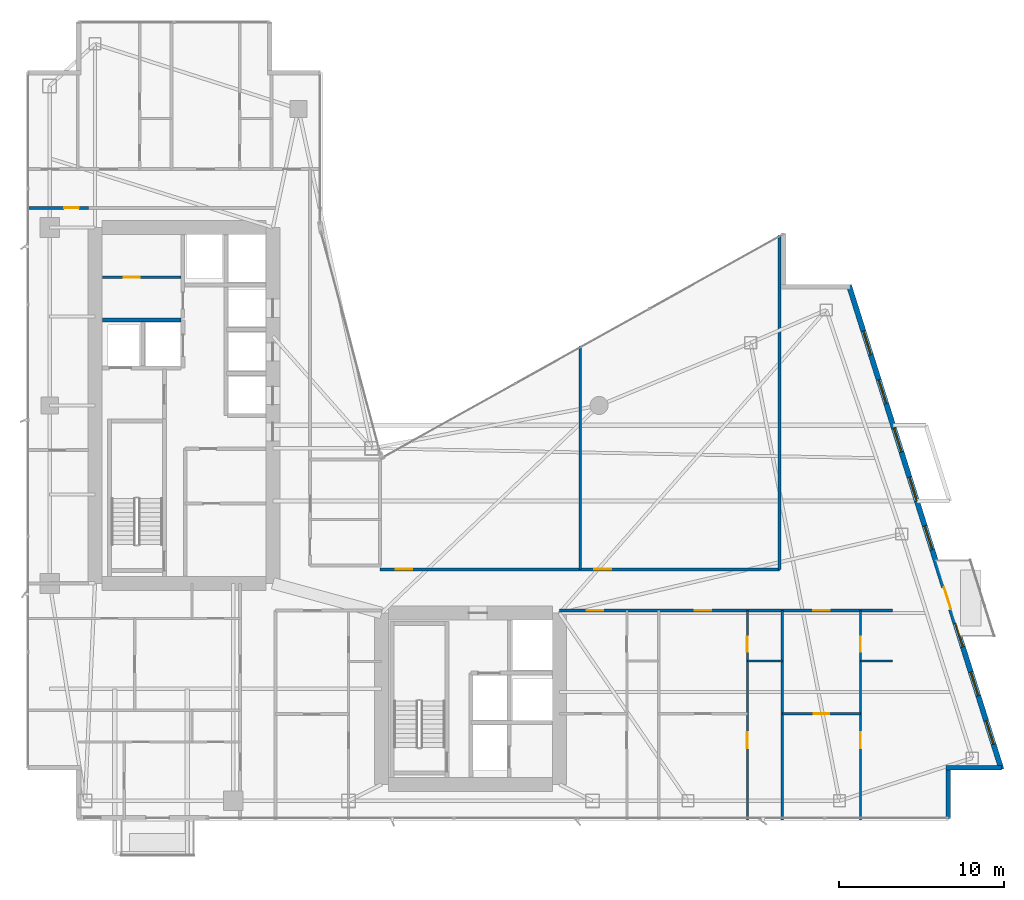
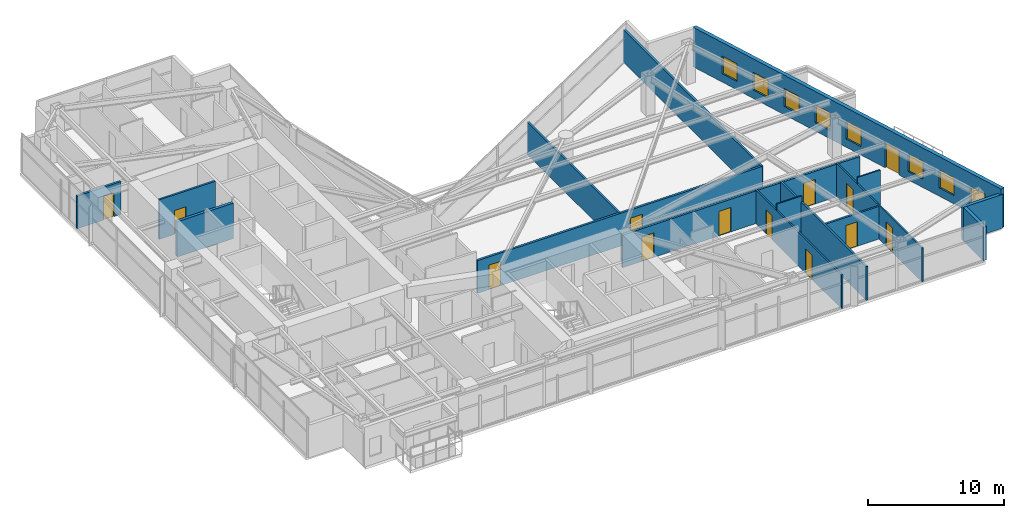
# One storey, part 24 of 28: 16 walls, 13 doors, 8 windows, 21 openings.
"""IFC4 building model written with IfcOpenShell, lengths in metres."""

from ifc_helpers import new_model, si_unit, direction, frame, frame_2d, origin, place, context, subcontext, project, spatial, rectangle, extrude, material, layer, layer_set, type_object, element, fill, save


model = new_model("IFC4")

# Units and contexts
model_context = context("Model", 3, precision=1e-05, world=origin(), true_north=direction((0.0, 1.0)))
body_context = subcontext(model_context, "Body", "Model", "MODEL_VIEW")
ifc_project = project(units=[si_unit("LENGTHUNIT", "METRE"), si_unit("AREAUNIT", "SQUARE_METRE"), si_unit("VOLUMEUNIT", "CUBIC_METRE"), si_unit("PLANEANGLEUNIT", "RADIAN"), si_unit("MASSUNIT", "GRAM", prefix="KILO")], contexts=[model_context])

# Site, building, storey
site_placement = place(None, origin())
site = spatial("IfcSite", under=ifc_project, at=site_placement, CompositionType="ELEMENT")
building_placement = place(site_placement, origin())
building = spatial("IfcBuilding", under=site, at=building_placement, Name="Calvorn Quay Hotel", CompositionType="ELEMENT")
storey_placement = place(building_placement, frame((0.0, 0.0, 156.10009765625)))
storey = spatial("IfcBuildingStorey", under=building, at=storey_placement, Name="L38", CompositionType="ELEMENT", Elevation=156.10009765625)

# Wall, opening, door
ifc_material_1 = material(Name="Acoustic Fireboard Steel-Stud Partition", Category="steel")
ifc_layer_1 = layer(ifc_material_1, 0.179931640625)
ifc_layer_set_1 = layer_set([ifc_layer_1], Name="WL-CORR-FIRE-180")
wall_type_1 = type_object("IfcWallType", Name="WL-CORR-FIRE-180", PredefinedType="PARTITIONING", material=ifc_layer_set_1)
wall_1_placement = place(storey_placement, frame((0.080078125, 39.60009765625, 0.0), z_axis=(0.0, 0.0, 1.0), x_axis=(1.0, 0.0, 0.0)))
wall_1 = element("IfcWall", 1, at=wall_1_placement, inside=storey, type_object=wall_type_1, Name="Partition Wall L38-WL-WBAY-N-DOOR", PredefinedType="PARTITIONING", context=body_context, shape_type="SweptSolid", body=[
    extrude(rectangle(XDim=3.724853515625, YDim=0.179931640625, at=frame_2d((1.8623046875, 0.0))), origin(), (0.0, 0.0, 1.0), 2.93994140625),
])
opening_1_placement = place(wall_1_placement, frame((2.25, 0.0, 0.0)))
opening_1 = element("IfcOpeningElement", 2, at=opening_1_placement, cuts=wall_1, Name="Opening D-L38-WBN", PredefinedType="OPENING", context=body_context, shape_type="SweptSolid", body=[
    extrude(rectangle(XDim=0.89990234375, YDim=2.14990234375, at=frame_2d((0.449951171875, 1.074951171875))), frame((0.0, 0.099853515625, 0.0), z_axis=(0.0, -1.0, 0.0), x_axis=(1.0, 0.0, 0.0)), (0.0, 0.0, 1.0), 0.199951171875),
])
ifc_material_2 = material(Name="Moisture-Sealed Timber En-Suite Door", Category="wood")
door_type_1 = type_object("IfcDoorType", Name="DR-ENSUITE-900", OperationType="NOTDEFINED", PredefinedType="DOOR", material=ifc_material_2)
door_1_placement = place(opening_1_placement, origin())
door_1 = element("IfcDoor", 3, at=door_1_placement, inside=storey, type_object=door_type_1, Name="West North Bay Door (L38)", OperationType="SINGLE_SWING_LEFT", OverallHeight=2.14990234375, OverallWidth=0.89990234375, PredefinedType="DOOR", context=body_context, shape_type="SweptSolid", body=[
    extrude(rectangle(XDim=0.89990234375, YDim=2.14990234375, at=frame_2d((0.449951171875, 1.074951171875))), frame((0.0, 0.02490234375, 0.0), z_axis=(0.0, -1.0, 0.0), x_axis=(1.0, 0.0, 0.0)), (0.0, 0.0, 1.0), 0.050048828125),
])
fill(opening_1, door_1)

# Wall, openings, doors
wall_2_placement = place(storey_placement, frame((32.39990234375, 15.14990234375, 0.0), z_axis=(0.0, 0.0, 1.0), x_axis=(1.0, 0.0, 0.0)))
wall_2 = element("IfcWall", 4, at=wall_2_placement, inside=storey, type_object=wall_type_1, Name="Partition Wall L38-WL-CORR-SE-S", PredefinedType="PARTITIONING", context=body_context, shape_type="SweptSolid", body=[
    extrude(rectangle(XDim=20.2001953125, YDim=0.179931640625, at=frame_2d((10.10009765625, 0.0))), origin(), (0.0, 0.0, 1.0), 2.93994140625),
])
opening_2_placement = place(wall_2_placement, frame((1.639892578125, 0.0, 0.0)))
opening_2 = element("IfcOpeningElement", 5, at=opening_2_placement, cuts=wall_2, Name="Opening D-L38-U06", PredefinedType="OPENING", context=body_context, shape_type="SweptSolid", body=[
    extrude(rectangle(XDim=1.02001953125, YDim=2.199951171875, at=frame_2d((0.510009765625, 1.10009765625))), frame((0.0, 0.099853515625, 0.0), z_axis=(0.0, -1.0, 0.0), x_axis=(1.0, 0.0, 0.0)), (0.0, 0.0, 1.0), 0.199951171875),
])
opening_3_placement = place(wall_2_placement, frame((8.199951171875, 0.0, 0.0)))
opening_3 = element("IfcOpeningElement", 6, at=opening_3_placement, cuts=wall_2, Name="Opening D-L38-U07", PredefinedType="OPENING", context=body_context, shape_type="SweptSolid", body=[
    extrude(rectangle(XDim=1.02001953125, YDim=2.199951171875, at=frame_2d((0.510009765625, 1.10009765625))), frame((0.0, 0.099853515625, 0.0), z_axis=(0.0, -1.0, 0.0), x_axis=(1.0, 0.0, 0.0)), (0.0, 0.0, 1.0), 0.199951171875),
])
opening_4_placement = place(wall_2_placement, frame((15.389892578125, 0.0, 0.0)))
opening_4 = element("IfcOpeningElement", 7, at=opening_4_placement, cuts=wall_2, Name="Opening D-L38-U08", PredefinedType="OPENING", context=body_context, shape_type="SweptSolid", body=[
    extrude(rectangle(XDim=1.02001953125, YDim=2.199951171875, at=frame_2d((0.510009765625, 1.10009765625))), frame((0.0, 0.099853515625, 0.0), z_axis=(0.0, -1.0, 0.0), x_axis=(1.0, 0.0, 0.0)), (0.0, 0.0, 1.0), 0.199951171875),
])
ifc_material_3 = material(Name="Solid-Core Walnut Veneer Hotel Fire Door")
door_type_2 = type_object("IfcDoorType", Name="DR-GUEST-ENTRY-1020", OperationType="NOTDEFINED", PredefinedType="DOOR", material=ifc_material_3)
door_2_placement = place(opening_2_placement, origin())
door_2 = element("IfcDoor", 8, at=door_2_placement, inside=storey, type_object=door_type_2, Name="South-East Unit Door U06 (L38)", OperationType="SINGLE_SWING_LEFT", OverallHeight=2.199951171875, OverallWidth=1.02001953125, PredefinedType="DOOR", context=body_context, shape_type="SweptSolid", body=[
    extrude(rectangle(XDim=1.02001953125, YDim=2.199951171875, at=frame_2d((0.510009765625, 1.10009765625))), frame((0.0, 0.02490234375, 0.0), z_axis=(0.0, -1.0, 0.0), x_axis=(1.0, 0.0, 0.0)), (0.0, 0.0, 1.0), 0.050048828125),
])
fill(opening_2, door_2)
door_3_placement = place(opening_3_placement, origin())
door_3 = element("IfcDoor", 9, at=door_3_placement, inside=storey, type_object=door_type_2, Name="South-East Unit Door U07 (L38)", OperationType="SINGLE_SWING_RIGHT", OverallHeight=2.199951171875, OverallWidth=1.02001953125, PredefinedType="DOOR", context=body_context, shape_type="SweptSolid", body=[
    extrude(rectangle(XDim=1.02001953125, YDim=2.199951171875, at=frame_2d((0.510009765625, 1.10009765625))), frame((0.0, 0.02490234375, 0.0), z_axis=(0.0, -1.0, 0.0), x_axis=(1.0, 0.0, 0.0)), (0.0, 0.0, 1.0), 0.050048828125),
])
fill(opening_3, door_3)
door_4_placement = place(opening_4_placement, origin())
door_4 = element("IfcDoor", 10, at=door_4_placement, inside=storey, type_object=door_type_2, Name="South-East Unit Door U08 (L38)", OperationType="SINGLE_SWING_LEFT", OverallHeight=2.199951171875, OverallWidth=1.02001953125, PredefinedType="DOOR", context=body_context, shape_type="SweptSolid", body=[
    extrude(rectangle(XDim=1.02001953125, YDim=2.199951171875, at=frame_2d((0.510009765625, 1.10009765625))), frame((0.0, 0.02490234375, 0.0), z_axis=(0.0, -1.0, 0.0), x_axis=(1.0, 0.0, 0.0)), (0.0, 0.0, 1.0), 0.050048828125),
])
fill(opening_4, door_4)

wall_3_placement = place(storey_placement, frame((21.5, 17.64990234375, 0.0), z_axis=(0.0, 0.0, 1.0), x_axis=(1.0, 0.0, 0.0)))
wall_3 = element("IfcWall", 11, at=wall_3_placement, inside=storey, type_object=wall_type_1, Name="Partition Wall L38-WL-CORR-NE-N", PredefinedType="PARTITIONING", context=body_context, shape_type="SweptSolid", body=[
    extrude(rectangle(XDim=24.25, YDim=0.179931640625, at=frame_2d((12.125, 0.0))), origin(), (0.0, 0.0, 1.0), 2.93994140625),
])
opening_5_placement = place(wall_3_placement, frame((0.949951171875, 0.0, 0.0)))
opening_5 = element("IfcOpeningElement", 12, at=opening_5_placement, cuts=wall_3, Name="Opening D-L38-NS1", PredefinedType="OPENING", context=body_context, shape_type="SweptSolid", body=[
    extrude(rectangle(XDim=1.02001953125, YDim=2.199951171875, at=frame_2d((0.510009765625, 1.10009765625))), frame((0.0, 0.099853515625, 0.0), z_axis=(0.0, -1.0, 0.0), x_axis=(1.0, 0.0, 0.0)), (0.0, 0.0, 1.0), 0.199951171875),
])
opening_6_placement = place(wall_3_placement, frame((13.02001953125, 0.0, 0.0)))
opening_6 = element("IfcOpeningElement", 13, at=opening_6_placement, cuts=wall_3, Name="Opening D-L38-NS2", PredefinedType="OPENING", context=body_context, shape_type="SweptSolid", body=[
    extrude(rectangle(XDim=1.02001953125, YDim=2.199951171875, at=frame_2d((0.510009765625, 1.10009765625))), frame((0.0, 0.099853515625, 0.0), z_axis=(0.0, -1.0, 0.0), x_axis=(1.0, 0.0, 0.0)), (0.0, 0.0, 1.0), 0.199951171875),
])
door_5_placement = place(opening_5_placement, origin())
door_5 = element("IfcDoor", 14, at=door_5_placement, inside=storey, type_object=door_type_2, Name="Conservatory Salon Door 1 (L38)", OperationType="SINGLE_SWING_RIGHT", OverallHeight=2.199951171875, OverallWidth=1.02001953125, PredefinedType="DOOR", context=body_context, shape_type="SweptSolid", body=[
    extrude(rectangle(XDim=1.02001953125, YDim=2.199951171875, at=frame_2d((0.510009765625, 1.10009765625))), frame((0.0, 0.02490234375, 0.0), z_axis=(0.0, -1.0, 0.0), x_axis=(1.0, 0.0, 0.0)), (0.0, 0.0, 1.0), 0.050048828125),
])
fill(opening_5, door_5)
door_6_placement = place(opening_6_placement, origin())
door_6 = element("IfcDoor", 15, at=door_6_placement, inside=storey, type_object=door_type_2, Name="Conservatory Salon Door 2 (L38)", OperationType="SINGLE_SWING_LEFT", OverallHeight=2.199951171875, OverallWidth=1.02001953125, PredefinedType="DOOR", context=body_context, shape_type="SweptSolid", body=[
    extrude(rectangle(XDim=1.02001953125, YDim=2.199951171875, at=frame_2d((0.510009765625, 1.10009765625))), frame((0.0, 0.02490234375, 0.0), z_axis=(0.0, -1.0, 0.0), x_axis=(1.0, 0.0, 0.0)), (0.0, 0.0, 1.0), 0.050048828125),
])
fill(opening_6, door_6)

# Walls
wall_4_placement = place(storey_placement, frame((45.75, 17.64990234375, 0.0), z_axis=(0.0, 0.0, 1.0), x_axis=(0.0, 1.0, 0.0)))
element("IfcWall", 16, at=wall_4_placement, inside=storey, type_object=wall_type_1, Name="Partition Wall L38-WL-NE-END-E", PredefinedType="PARTITIONING", context=body_context, shape_type="SweptSolid", body=[
    extrude(rectangle(XDim=20.2900390625, YDim=0.179931640625, at=frame_2d((10.14501953125, 0.0))), origin(), (0.0, 0.0, 1.0), 2.93994140625),
])
ifc_material_4 = material(Name="Moisture-Resistant Tile-Backed Partition")
ifc_layer_2 = layer(ifc_material_4, 0.125)
ifc_layer_set_2 = layer_set([ifc_layer_2], Name="WL-ENSUITE-125")
wall_type_2 = type_object("IfcWallType", Name="WL-ENSUITE-125", PredefinedType="PARTITIONING", material=ifc_layer_set_2)
wall_5_placement = place(storey_placement, frame((43.800048828125, 12.10009765625, 0.0), z_axis=(0.0, 0.0, 1.0), x_axis=(1.0, 0.0, 0.0)))
element("IfcWall", 17, at=wall_5_placement, inside=storey, type_object=wall_type_2, Name="Partition Wall L38-WL-U07-BDV", PredefinedType="PARTITIONING", context=body_context, shape_type="SweptSolid", body=[
    extrude(rectangle(XDim=2.1298828125, YDim=0.125, at=frame_2d((1.06494140625, 0.0))), origin(), (0.0, 0.0, 1.0), 3.559814453125),
])

# Wall, openings, doors
wall_6_placement = place(storey_placement, frame((43.800048828125, 2.43994140625, 0.0), z_axis=(0.0, 0.0, 1.0), x_axis=(0.0, 1.0, 0.0)))
wall_6 = element("IfcWall", 18, at=wall_6_placement, inside=storey, type_object=wall_type_2, Name="Partition Wall L38-WL-U07-BV", PredefinedType="PARTITIONING", context=body_context, shape_type="SweptSolid", body=[
    extrude(rectangle(XDim=12.7099609375, YDim=0.125, at=frame_2d((6.35498046875, 0.0))), origin(), (0.0, 0.0, 1.0), 3.039794921875),
])
opening_7_placement = place(wall_6_placement, frame((4.35009765625, 0.0, 0.0)))
opening_7 = element("IfcOpeningElement", 19, at=opening_7_placement, cuts=wall_6, Name="Opening D-L38-S07", PredefinedType="OPENING", context=body_context, shape_type="SweptSolid", body=[
    extrude(rectangle(XDim=0.9599609375, YDim=2.199951171875, at=frame_2d((0.47998046875, 1.10009765625))), frame((0.0, 0.072509765625, 0.0), z_axis=(0.0, -1.0, 0.0), x_axis=(1.0, 0.0, 0.0)), (0.0, 0.0, 1.0), 0.14501953125),
])
opening_8_placement = place(wall_6_placement, frame((10.2099609375, 0.0, 0.0)))
opening_8 = element("IfcOpeningElement", 20, at=opening_8_placement, cuts=wall_6, Name="Opening D-L38-E07", PredefinedType="OPENING", context=body_context, shape_type="SweptSolid", body=[
    extrude(rectangle(XDim=0.89990234375, YDim=2.14990234375, at=frame_2d((0.449951171875, 1.074951171875))), frame((0.0, 0.072509765625, 0.0), z_axis=(0.0, -1.0, 0.0), x_axis=(1.0, 0.0, 0.0)), (0.0, 0.0, 1.0), 0.14501953125),
])
door_7_placement = place(opening_8_placement, origin())
door_7 = element("IfcDoor", 21, at=door_7_placement, inside=storey, type_object=door_type_1, Name="En-Suite Door 07", OperationType="SINGLE_SWING_RIGHT", OverallHeight=2.14990234375, OverallWidth=0.89990234375, PredefinedType="DOOR", context=body_context, shape_type="SweptSolid", body=[
    extrude(rectangle(XDim=0.89990234375, YDim=2.14990234375, at=frame_2d((0.449951171875, 1.074951171875))), frame((0.0, 0.02490234375, 0.0), z_axis=(0.0, -1.0, 0.0), x_axis=(1.0, 0.0, 0.0)), (0.0, 0.0, 1.0), 0.050048828125),
])
fill(opening_8, door_7)
ifc_material_5 = material(Name="Solid Timber Internal Suite Door", Category="wood")
door_type_3 = type_object("IfcDoorType", Name="DR-SUITE-INT-960", OperationType="NOTDEFINED", PredefinedType="DOOR", material=ifc_material_5)
door_8_placement = place(opening_7_placement, origin())
door_8 = element("IfcDoor", 22, at=door_8_placement, inside=storey, type_object=door_type_3, Name="Spa Therapy Room Door 07", OperationType="SINGLE_SWING_LEFT", OverallHeight=2.199951171875, OverallWidth=0.9599609375, PredefinedType="DOOR", context=body_context, shape_type="SweptSolid", body=[
    extrude(rectangle(XDim=0.9599609375, YDim=2.199951171875, at=frame_2d((0.47998046875, 1.10009765625))), frame((0.0, 0.02490234375, 0.0), z_axis=(0.0, -1.0, 0.0), x_axis=(1.0, 0.0, 0.0)), (0.0, 0.0, 1.0), 0.050048828125),
])
fill(opening_7, door_8)

# Wall
wall_7_placement = place(storey_placement, frame((50.669921875, 12.10009765625, 0.0), z_axis=(0.0, 0.0, 1.0), x_axis=(1.0, 0.0, 0.0)))
element("IfcWall", 23, at=wall_7_placement, inside=storey, type_object=wall_type_2, Name="Partition Wall L38-WL-U08-BDV", PredefinedType="PARTITIONING", context=body_context, shape_type="SweptSolid", body=[
    extrude(rectangle(XDim=1.93017578125, YDim=0.125, at=frame_2d((0.965087890625, 0.0))), origin(), (0.0, 0.0, 1.0), 3.559814453125),
])

# Wall, openings, doors
wall_8_placement = place(storey_placement, frame((50.669921875, 2.43994140625, 0.0), z_axis=(0.0, 0.0, 1.0), x_axis=(0.0, 1.0, 0.0)))
wall_8 = element("IfcWall", 24, at=wall_8_placement, inside=storey, type_object=wall_type_2, Name="Partition Wall L38-WL-U08-BV", PredefinedType="PARTITIONING", context=body_context, shape_type="SweptSolid", body=[
    extrude(rectangle(XDim=12.7099609375, YDim=0.125, at=frame_2d((6.35498046875, 0.0))), origin(), (0.0, 0.0, 1.0), 3.039794921875),
])
opening_9_placement = place(wall_8_placement, frame((4.35009765625, 0.0, 0.0)))
opening_9 = element("IfcOpeningElement", 25, at=opening_9_placement, cuts=wall_8, Name="Opening D-L38-S08", PredefinedType="OPENING", context=body_context, shape_type="SweptSolid", body=[
    extrude(rectangle(XDim=0.9599609375, YDim=2.199951171875, at=frame_2d((0.47998046875, 1.10009765625))), frame((0.0, 0.072509765625, 0.0), z_axis=(0.0, -1.0, 0.0), x_axis=(1.0, 0.0, 0.0)), (0.0, 0.0, 1.0), 0.14501953125),
])
opening_10_placement = place(wall_8_placement, frame((10.2099609375, 0.0, 0.0)))
opening_10 = element("IfcOpeningElement", 26, at=opening_10_placement, cuts=wall_8, Name="Opening D-L38-E08", PredefinedType="OPENING", context=body_context, shape_type="SweptSolid", body=[
    extrude(rectangle(XDim=0.89990234375, YDim=2.14990234375, at=frame_2d((0.449951171875, 1.074951171875))), frame((0.0, 0.072509765625, 0.0), z_axis=(0.0, -1.0, 0.0), x_axis=(1.0, 0.0, 0.0)), (0.0, 0.0, 1.0), 0.14501953125),
])
door_9_placement = place(opening_10_placement, origin())
door_9 = element("IfcDoor", 27, at=door_9_placement, inside=storey, type_object=door_type_1, Name="En-Suite Door 08", OperationType="SINGLE_SWING_RIGHT", OverallHeight=2.14990234375, OverallWidth=0.89990234375, PredefinedType="DOOR", context=body_context, shape_type="SweptSolid", body=[
    extrude(rectangle(XDim=0.89990234375, YDim=2.14990234375, at=frame_2d((0.449951171875, 1.074951171875))), frame((0.0, 0.02490234375, 0.0), z_axis=(0.0, -1.0, 0.0), x_axis=(1.0, 0.0, 0.0)), (0.0, 0.0, 1.0), 0.050048828125),
])
fill(opening_10, door_9)
door_10_placement = place(opening_9_placement, origin())
door_10 = element("IfcDoor", 28, at=door_10_placement, inside=storey, type_object=door_type_3, Name="Spa Therapy Room Door 08", OperationType="SINGLE_SWING_LEFT", OverallHeight=2.199951171875, OverallWidth=0.9599609375, PredefinedType="DOOR", context=body_context, shape_type="SweptSolid", body=[
    extrude(rectangle(XDim=0.9599609375, YDim=2.199951171875, at=frame_2d((0.47998046875, 1.10009765625))), frame((0.0, 0.02490234375, 0.0), z_axis=(0.0, -1.0, 0.0), x_axis=(1.0, 0.0, 0.0)), (0.0, 0.0, 1.0), 0.050048828125),
])
fill(opening_9, door_10)

# Walls
ifc_material_6 = material(Name="Concrete C40", Category="concrete")
ifc_layer_3 = layer(ifc_material_6, 0.320068359375)
ifc_layer_set_3 = layer_set([ifc_layer_3], Name="WL-EXT-SPANDREL-320")
wall_type_3 = type_object("IfcWallType", Name="WL-EXT-SPANDREL-320", PredefinedType="SOLIDWALL", material=ifc_layer_set_3)
wall_9_placement = place(storey_placement, frame((56.0, 2.52001953125, 0.0), z_axis=(0.0, 0.0, 1.0), x_axis=(0.0, 1.0, 0.0)))
element("IfcWall", 29, at=wall_9_placement, inside=storey, type_object=wall_type_3, Name="Notched Corner Spandrel L38-SE1", PredefinedType="SOLIDWALL", context=body_context, shape_type="SweptSolid", body=[
    extrude(rectangle(XDim=2.93994140625, YDim=0.280029296875, at=frame_2d((1.469970703125, 0.0))), origin(), (0.0, 0.0, 1.0), 3.039794921875),
])
wall_10_placement = place(storey_placement, frame((55.860107421875, 5.60009765625, 0.0), z_axis=(0.0, 0.0, 1.0), x_axis=(1.0, 0.0, 0.0)))
element("IfcWall", 30, at=wall_10_placement, inside=storey, type_object=wall_type_3, Name="Notched Corner Spandrel L38-SE2", PredefinedType="SOLIDWALL", context=body_context, shape_type="SweptSolid", body=[
    extrude(rectangle(XDim=3.3798828125, YDim=0.280029296875, at=frame_2d((1.68994140625, 0.0))), origin(), (0.0, 0.0, 1.0), 3.039794921875),
])

# Wall, openings, door, windows
wall_11_placement = place(storey_placement, frame((59.22998046875, 5.5048828125, 0.0), z_axis=(0.0, 0.0, 1.0), x_axis=(-0.300509063924, 0.953778958931, 0.0)))
wall_11 = element("IfcWall", 31, at=wall_11_placement, inside=storey, type_object=wall_type_3, Name="East Stepped Waterfront Exterior Wall (L38)", PredefinedType="SOLIDWALL", context=body_context, shape_type="SweptSolid", body=[
    extrude(rectangle(XDim=30.814453125, YDim=0.320068359375, at=frame_2d((15.4072265625, 0.0))), origin(), (0.0, 0.0, 1.0), 3.559814453125),
])
opening_11_placement = place(wall_11_placement, frame((10.198974609375, 0.0, 0.0)))
opening_11 = element("IfcOpeningElement", 32, at=opening_11_placement, cuts=wall_11, Name="Opening DB-L38-1", PredefinedType="OPENING", context=body_context, shape_type="SweptSolid", body=[
    extrude(rectangle(XDim=1.39990234375, YDim=2.25, at=frame_2d((0.699951171875, 1.125))), frame((0.0, 0.169921875, 0.0), z_axis=(0.0, -1.0, 0.0), x_axis=(1.0, 0.0, 0.0)), (0.0, 0.0, 1.0), 0.340087890625),
])
opening_12_placement = place(wall_11_placement, frame((1.60009765625, 0.0, 0.75)))
opening_12 = element("IfcOpeningElement", 33, at=opening_12_placement, cuts=wall_11, Name="Opening WG-L38-E1", PredefinedType="OPENING", context=body_context, shape_type="SweptSolid", body=[
    extrude(rectangle(XDim=1.5, YDim=1.60009765625, at=frame_2d((0.75, 0.800048828125))), frame((0.0, 0.169921875, 0.0), z_axis=(0.0, -1.0, 0.0), x_axis=(1.0, 0.0, 0.0)), (0.0, 0.0, 1.0), 0.340087890625),
])
opening_13_placement = place(wall_11_placement, frame((4.699951171875, 0.0, 0.75)))
opening_13 = element("IfcOpeningElement", 34, at=opening_13_placement, cuts=wall_11, Name="Opening WG-L38-E2", PredefinedType="OPENING", context=body_context, shape_type="SweptSolid", body=[
    extrude(rectangle(XDim=1.5, YDim=1.60009765625, at=frame_2d((0.75, 0.800048828125))), frame((0.0, 0.169921875, 0.0), z_axis=(0.0, -1.0, 0.0), x_axis=(1.0, 0.0, 0.0)), (0.0, 0.0, 1.0), 0.340087890625),
])
opening_14_placement = place(wall_11_placement, frame((7.800048828125, 0.0, 0.75)))
opening_14 = element("IfcOpeningElement", 35, at=opening_14_placement, cuts=wall_11, Name="Opening WG-L38-E3", PredefinedType="OPENING", context=body_context, shape_type="SweptSolid", body=[
    extrude(rectangle(XDim=1.5, YDim=1.60009765625, at=frame_2d((0.75, 0.800048828125))), frame((0.0, 0.169921875, 0.0), z_axis=(0.0, -1.0, 0.0), x_axis=(1.0, 0.0, 0.0)), (0.0, 0.0, 1.0), 0.340087890625),
])
opening_15_placement = place(wall_11_placement, frame((14.0, 0.0, 0.75)))
opening_15 = element("IfcOpeningElement", 36, at=opening_15_placement, cuts=wall_11, Name="Opening WG-L38-E4", PredefinedType="OPENING", context=body_context, shape_type="SweptSolid", body=[
    extrude(rectangle(XDim=1.5, YDim=1.60009765625, at=frame_2d((0.75, 0.800048828125))), frame((0.0, 0.169921875, 0.0), z_axis=(0.0, -1.0, 0.0), x_axis=(1.0, 0.0, 0.0)), (0.0, 0.0, 1.0), 0.340087890625),
])
opening_16_placement = place(wall_11_placement, frame((17.10009765625, 0.0, 0.75)))
opening_16 = element("IfcOpeningElement", 37, at=opening_16_placement, cuts=wall_11, Name="Opening WG-L38-E5", PredefinedType="OPENING", context=body_context, shape_type="SweptSolid", body=[
    extrude(rectangle(XDim=1.5, YDim=1.60009765625, at=frame_2d((0.75, 0.800048828125))), frame((0.0, 0.169921875, 0.0), z_axis=(0.0, -1.0, 0.0), x_axis=(1.0, 0.0, 0.0)), (0.0, 0.0, 1.0), 0.340087890625),
])
opening_17_placement = place(wall_11_placement, frame((20.199951171875, 0.0, 0.75)))
opening_17 = element("IfcOpeningElement", 38, at=opening_17_placement, cuts=wall_11, Name="Opening WG-L38-E6", PredefinedType="OPENING", context=body_context, shape_type="SweptSolid", body=[
    extrude(rectangle(XDim=1.5, YDim=1.60009765625, at=frame_2d((0.75, 0.800048828125))), frame((0.0, 0.169921875, 0.0), z_axis=(0.0, -1.0, 0.0), x_axis=(1.0, 0.0, 0.0)), (0.0, 0.0, 1.0), 0.340087890625),
])
opening_18_placement = place(wall_11_placement, frame((23.300048828125, 0.0, 0.75)))
opening_18 = element("IfcOpeningElement", 39, at=opening_18_placement, cuts=wall_11, Name="Opening WG-L38-E7", PredefinedType="OPENING", context=body_context, shape_type="SweptSolid", body=[
    extrude(rectangle(XDim=1.5, YDim=1.60009765625, at=frame_2d((0.75, 0.800048828125))), frame((0.0, 0.169921875, 0.0), z_axis=(0.0, -1.0, 0.0), x_axis=(1.0, 0.0, 0.0)), (0.0, 0.0, 1.0), 0.340087890625),
])
opening_19_placement = place(wall_11_placement, frame((26.39990234375, 0.0, 0.75)))
opening_19 = element("IfcOpeningElement", 40, at=opening_19_placement, cuts=wall_11, Name="Opening WG-L38-E8", PredefinedType="OPENING", context=body_context, shape_type="SweptSolid", body=[
    extrude(rectangle(XDim=1.5, YDim=1.60009765625, at=frame_2d((0.75, 0.800048828125))), frame((0.0, 0.169921875, 0.0), z_axis=(0.0, -1.0, 0.0), x_axis=(1.0, 0.0, 0.0)), (0.0, 0.0, 1.0), 0.340087890625),
])
ifc_material_7 = material(Name="Typhoon-Rated Low-E Aluminium Terrace Door", Category="aluminium")
door_type_4 = type_object("IfcDoorType", Name="DR-BALCONY-GLZ-1400", OperationType="NOTDEFINED", PredefinedType="DOOR", material=ifc_material_7)
door_11_placement = place(opening_11_placement, origin())
door_11 = element("IfcDoor", 41, at=door_11_placement, inside=storey, type_object=door_type_4, Name="Tree Balcony Terrace Door L38-BALC-E", OperationType="SINGLE_SWING_LEFT", OverallHeight=2.25, OverallWidth=1.39990234375, PredefinedType="DOOR", context=body_context, shape_type="SweptSolid", body=[
    extrude(rectangle(XDim=1.39990234375, YDim=2.25, at=frame_2d((0.699951171875, 1.125))), frame((0.0, 0.02490234375, 0.0), z_axis=(0.0, -1.0, 0.0), x_axis=(1.0, 0.0, 0.0)), (0.0, 0.0, 1.0), 0.050048828125),
])
fill(opening_11, door_11)
ifc_material_8 = material(Name="Self-Closing Class B Fire Window")
window_type = type_object("IfcWindowType", Name="WIN-REFUGE-1500x1600", PartitioningType="SINGLE_PANEL", PredefinedType="WINDOW", material=ifc_material_8)
window_1_placement = place(opening_12_placement, origin())
window_1 = element("IfcWindow", 42, at=window_1_placement, inside=storey, type_object=window_type, Name="East Facade Window L38-E1", OverallHeight=1.60009765625, OverallWidth=1.5, PartitioningType="SINGLE_PANEL", PredefinedType="WINDOW", context=body_context, shape_type="SweptSolid", body=[
    extrude(rectangle(XDim=1.5, YDim=1.60009765625, at=frame_2d((0.75, 0.800048828125))), frame((0.0, 0.030029296875, 0.0), z_axis=(0.0, -1.0, 0.0), x_axis=(1.0, 0.0, 0.0)), (0.0, 0.0, 1.0), 0.06005859375),
])
fill(opening_12, window_1)
window_2_placement = place(opening_13_placement, origin())
window_2 = element("IfcWindow", 43, at=window_2_placement, inside=storey, type_object=window_type, Name="East Facade Window L38-E2", OverallHeight=1.60009765625, OverallWidth=1.5, PartitioningType="SINGLE_PANEL", PredefinedType="WINDOW", context=body_context, shape_type="SweptSolid", body=[
    extrude(rectangle(XDim=1.5, YDim=1.60009765625, at=frame_2d((0.75, 0.800048828125))), frame((0.0, 0.030029296875, 0.0), z_axis=(0.0, -1.0, 0.0), x_axis=(1.0, 0.0, 0.0)), (0.0, 0.0, 1.0), 0.06005859375),
])
fill(opening_13, window_2)
window_3_placement = place(opening_14_placement, origin())
window_3 = element("IfcWindow", 44, at=window_3_placement, inside=storey, type_object=window_type, Name="East Facade Window L38-E3", OverallHeight=1.60009765625, OverallWidth=1.5, PartitioningType="SINGLE_PANEL", PredefinedType="WINDOW", context=body_context, shape_type="SweptSolid", body=[
    extrude(rectangle(XDim=1.5, YDim=1.60009765625, at=frame_2d((0.75, 0.800048828125))), frame((0.0, 0.030029296875, 0.0), z_axis=(0.0, -1.0, 0.0), x_axis=(1.0, 0.0, 0.0)), (0.0, 0.0, 1.0), 0.06005859375),
])
fill(opening_14, window_3)
window_4_placement = place(opening_15_placement, origin())
window_4 = element("IfcWindow", 45, at=window_4_placement, inside=storey, type_object=window_type, Name="East Facade Window L38-E4", OverallHeight=1.60009765625, OverallWidth=1.5, PartitioningType="SINGLE_PANEL", PredefinedType="WINDOW", context=body_context, shape_type="SweptSolid", body=[
    extrude(rectangle(XDim=1.5, YDim=1.60009765625, at=frame_2d((0.75, 0.800048828125))), frame((0.0, 0.030029296875, 0.0), z_axis=(0.0, -1.0, 0.0), x_axis=(1.0, 0.0, 0.0)), (0.0, 0.0, 1.0), 0.06005859375),
])
fill(opening_15, window_4)
window_5_placement = place(opening_16_placement, origin())
window_5 = element("IfcWindow", 46, at=window_5_placement, inside=storey, type_object=window_type, Name="East Facade Window L38-E5", OverallHeight=1.60009765625, OverallWidth=1.5, PartitioningType="SINGLE_PANEL", PredefinedType="WINDOW", context=body_context, shape_type="SweptSolid", body=[
    extrude(rectangle(XDim=1.5, YDim=1.60009765625, at=frame_2d((0.75, 0.800048828125))), frame((0.0, 0.030029296875, 0.0), z_axis=(0.0, -1.0, 0.0), x_axis=(1.0, 0.0, 0.0)), (0.0, 0.0, 1.0), 0.06005859375),
])
fill(opening_16, window_5)
window_6_placement = place(opening_17_placement, origin())
window_6 = element("IfcWindow", 47, at=window_6_placement, inside=storey, type_object=window_type, Name="East Facade Window L38-E6", OverallHeight=1.60009765625, OverallWidth=1.5, PartitioningType="SINGLE_PANEL", PredefinedType="WINDOW", context=body_context, shape_type="SweptSolid", body=[
    extrude(rectangle(XDim=1.5, YDim=1.60009765625, at=frame_2d((0.75, 0.800048828125))), frame((0.0, 0.030029296875, 0.0), z_axis=(0.0, -1.0, 0.0), x_axis=(1.0, 0.0, 0.0)), (0.0, 0.0, 1.0), 0.06005859375),
])
fill(opening_17, window_6)
window_7_placement = place(opening_18_placement, origin())
window_7 = element("IfcWindow", 48, at=window_7_placement, inside=storey, type_object=window_type, Name="East Facade Window L38-E7", OverallHeight=1.60009765625, OverallWidth=1.5, PartitioningType="SINGLE_PANEL", PredefinedType="WINDOW", context=body_context, shape_type="SweptSolid", body=[
    extrude(rectangle(XDim=1.5, YDim=1.60009765625, at=frame_2d((0.75, 0.800048828125))), frame((0.0, 0.030029296875, 0.0), z_axis=(0.0, -1.0, 0.0), x_axis=(1.0, 0.0, 0.0)), (0.0, 0.0, 1.0), 0.06005859375),
])
fill(opening_18, window_7)
window_8_placement = place(opening_19_placement, origin())
window_8 = element("IfcWindow", 49, at=window_8_placement, inside=storey, type_object=window_type, Name="East Facade Window L38-E8", OverallHeight=1.60009765625, OverallWidth=1.5, PartitioningType="SINGLE_PANEL", PredefinedType="WINDOW", context=body_context, shape_type="SweptSolid", body=[
    extrude(rectangle(XDim=1.5, YDim=1.60009765625, at=frame_2d((0.75, 0.800048828125))), frame((0.0, 0.030029296875, 0.0), z_axis=(0.0, -1.0, 0.0), x_axis=(1.0, 0.0, 0.0)), (0.0, 0.0, 1.0), 0.06005859375),
])
fill(opening_19, window_8)

# Wall, opening, door
ifc_material_9 = material(Name="Double-Stud Acoustic Gypsum Partition")
ifc_layer_4 = layer(ifc_material_9, 0.159912109375)
ifc_layer_set_4 = layer_set([ifc_layer_4], Name="WL-INTERSUITE-160")
wall_type_4 = type_object("IfcWallType", Name="WL-INTERSUITE-160", PredefinedType="PARTITIONING", material=ifc_layer_set_4)
wall_12_placement = place(storey_placement, frame((4.64501953125, 35.3798828125, 0.0), z_axis=(0.0, 0.0, 1.0), x_axis=(1.0, 0.0, 0.0)))
wall_12 = element("IfcWall", 50, at=wall_12_placement, inside=storey, type_object=wall_type_4, Name="Partition Wall L38-WL-CWW-K-MID", PredefinedType="PARTITIONING", context=body_context, shape_type="SweptSolid", body=[
    extrude(rectangle(XDim=4.77490234375, YDim=0.159912109375, at=frame_2d((2.387451171875, 0.0))), origin(), (0.0, 0.0, 1.0), 3.559814453125),
])
opening_20_placement = place(wall_12_placement, frame((1.300048828125, 0.0, 0.0)))
opening_20 = element("IfcOpeningElement", 51, at=opening_20_placement, cuts=wall_12, Name="Opening D-L38-CK2", PredefinedType="OPENING", context=body_context, shape_type="SweptSolid", body=[
    extrude(rectangle(XDim=0.97998046875, YDim=2.14990234375, at=frame_2d((0.489990234375, 1.074951171875))), frame((0.0, 0.08984375, 0.0), z_axis=(0.0, -1.0, 0.0), x_axis=(1.0, 0.0, 0.0)), (0.0, 0.0, 1.0), 0.179931640625),
])
ifc_material_10 = material(Name="Painted Steel Housekeeping/Riser Fire Door", Category="steel")
door_type_5 = type_object("IfcDoorType", Name="DR-SERVICE-980", OperationType="NOTDEFINED", PredefinedType="DOOR", material=ifc_material_10)
door_12_placement = place(opening_20_placement, origin())
door_12 = element("IfcDoor", 52, at=door_12_placement, inside=storey, type_object=door_type_5, Name="Electrical Riser Door (L38)", OperationType="SINGLE_SWING_RIGHT", OverallHeight=2.14990234375, OverallWidth=0.97998046875, PredefinedType="DOOR", context=body_context, shape_type="SweptSolid", body=[
    extrude(rectangle(XDim=0.97998046875, YDim=2.14990234375, at=frame_2d((0.489990234375, 1.074951171875))), frame((0.0, 0.02490234375, 0.0), z_axis=(0.0, -1.0, 0.0), x_axis=(1.0, 0.0, 0.0)), (0.0, 0.0, 1.0), 0.050048828125),
])
fill(opening_20, door_12)

wall_13_placement = place(storey_placement, frame((45.929931640625, 8.8798828125, 0.0), z_axis=(0.0, 0.0, 1.0), x_axis=(1.0, 0.0, 0.0)))
wall_13 = element("IfcWall", 53, at=wall_13_placement, inside=storey, type_object=wall_type_4, Name="Partition Wall L38-WL-U08-MSP", PredefinedType="PARTITIONING", context=body_context, shape_type="SweptSolid", body=[
    extrude(rectangle(XDim=4.739990234375, YDim=0.159912109375, at=frame_2d((2.3701171875, 0.0))), origin(), (0.0, 0.0, 1.0), 2.93994140625),
])
opening_21_placement = place(wall_13_placement, frame((1.889892578125, 0.0, 0.0)))
opening_21 = element("IfcOpeningElement", 54, at=opening_21_placement, cuts=wall_13, Name="Opening D-L38-M08", PredefinedType="OPENING", context=body_context, shape_type="SweptSolid", body=[
    extrude(rectangle(XDim=0.9599609375, YDim=2.199951171875, at=frame_2d((0.47998046875, 1.10009765625))), frame((0.0, 0.08984375, 0.0), z_axis=(0.0, -1.0, 0.0), x_axis=(1.0, 0.0, 0.0)), (0.0, 0.0, 1.0), 0.179931640625),
])
door_13_placement = place(opening_21_placement, origin())
door_13 = element("IfcDoor", 55, at=door_13_placement, inside=storey, type_object=door_type_3, Name="Suite Bedroom Door 08", OperationType="SINGLE_SWING_LEFT", OverallHeight=2.199951171875, OverallWidth=0.9599609375, PredefinedType="DOOR", context=body_context, shape_type="SweptSolid", body=[
    extrude(rectangle(XDim=0.9599609375, YDim=2.199951171875, at=frame_2d((0.47998046875, 1.10009765625))), frame((0.0, 0.02490234375, 0.0), z_axis=(0.0, -1.0, 0.0), x_axis=(1.0, 0.0, 0.0)), (0.0, 0.0, 1.0), 0.050048828125),
])
fill(opening_21, door_13)

# Walls
wall_14_placement = place(storey_placement, frame((45.929931640625, 2.43994140625, 0.0), z_axis=(0.0, 0.0, 1.0), x_axis=(0.0, 1.0, 0.0)))
element("IfcWall", 56, at=wall_14_placement, inside=storey, type_object=wall_type_4, Name="Partition Wall L38-WL-SE-DIV-2", PredefinedType="PARTITIONING", context=body_context, shape_type="SweptSolid", body=[
    extrude(rectangle(XDim=12.7099609375, YDim=0.159912109375, at=frame_2d((6.35498046875, 0.0))), origin(), (0.0, 0.0, 1.0), 3.039794921875),
])
wall_15_placement = place(storey_placement, frame((33.669921875, 17.64990234375, 0.0), z_axis=(0.0, 0.0, 1.0), x_axis=(0.0, 1.0, 0.0)))
element("IfcWall", 57, at=wall_15_placement, inside=storey, type_object=wall_type_4, Name="Partition Wall L38-WL-NE-DIV-1", PredefinedType="PARTITIONING", context=body_context, shape_type="SweptSolid", body=[
    extrude(rectangle(XDim=13.56005859375, YDim=0.159912109375, at=frame_2d((6.780029296875, 0.0))), origin(), (0.0, 0.0, 1.0), 2.93994140625),
])
ifc_material_11 = material(Name="Concrete C40", Category="concrete")
ifc_layer_5 = layer(ifc_material_11, 0.239990234375)
ifc_layer_set_5 = layer_set([ifc_layer_5], Name="WL-SHAFT-240")
wall_type_5 = type_object("IfcWallType", Name="WL-SHAFT-240", PredefinedType="SOLIDWALL", material=ifc_layer_set_5)
wall_16_placement = place(storey_placement, frame((4.64501953125, 32.780029296875, 0.0), z_axis=(0.0, 0.0, 1.0), x_axis=(1.0, 0.0, 0.0)))
element("IfcWall", 58, at=wall_16_placement, inside=storey, type_object=wall_type_5, Name="Partition Wall L38-WL-CWW-SLW-N", PredefinedType="SOLIDWALL", context=body_context, shape_type="SweptSolid", body=[
    extrude(rectangle(XDim=4.77490234375, YDim=0.239990234375, at=frame_2d((2.387451171875, 0.0))), origin(), (0.0, 0.0, 1.0), 3.18994140625),
])

save(model, "model.ifc")
